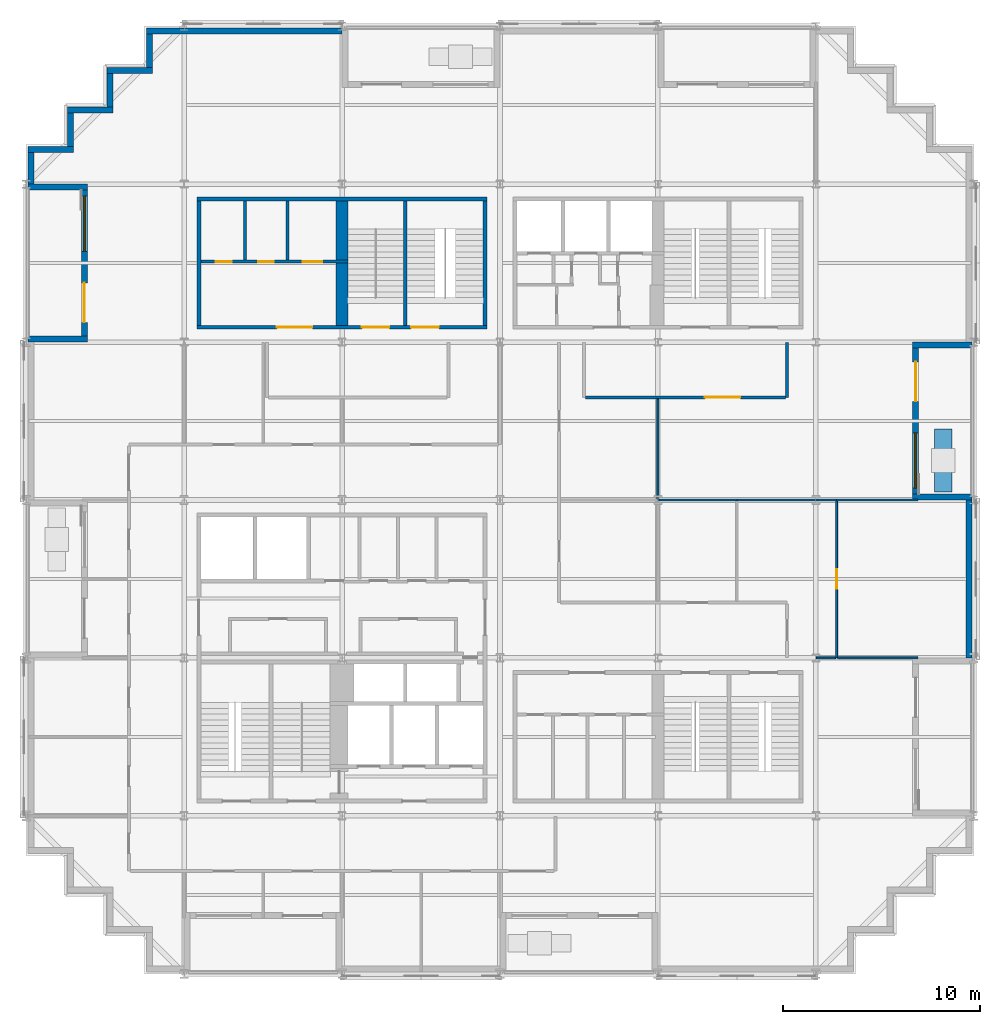
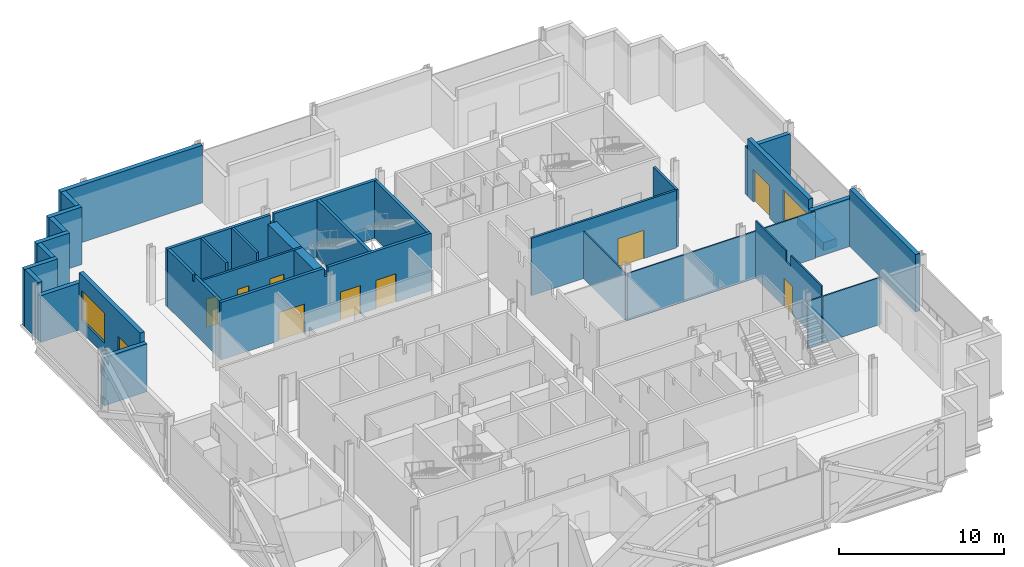
# One storey, part 9 of 15: 35 walls, 10 doors, 2 windows, 12 openings.
"""IFC4 building model written with IfcOpenShell, lengths in metres."""

import ifcopenshell
import ifcopenshell.guid

model = None  # the IFC model being written
_history = None  # IfcOwnerHistory: only IFC2X3 demands one
_inside = {}  # id of a spatial element -> (the spatial element, [elements in it])
_under = {}  # id of a project, library or spatial element -> (it, [spatial elements below it])
_declared = {}  # id of a project -> (the project, [libraries it declares])
_typed = {}  # id of a type object -> (the type object, [elements of that type])
_made_of = {}  # id of a material, layer set ... -> (it, [elements and type objects made of it])


def new_model(schema):
    """Start an empty IFC model of exactly this schema.

    Asked for "IFC4X3", IfcOpenShell would pick the latest addendum, in which some entities
    have other attributes; the version numbers below select the first issue.
    IFC2X3 requires an IfcOwnerHistory on every rooted entity: one is made here for all.
    """
    global model, _history
    if schema == "IFC4X3":
        model = ifcopenshell.file(schema_version=(4, 3, 0, 0))
    else:
        model = ifcopenshell.file(schema=schema)
    _inside.clear()
    _under.clear()
    _declared.clear()
    _typed.clear()
    _made_of.clear()
    _history = None
    if model.schema == "IFC2X3":
        org = make("IfcOrganization", Name="unknown")
        user = make(
            "IfcPersonAndOrganization",
            ThePerson=make("IfcPerson", FamilyName="unknown"),
            TheOrganization=org,
        )
        app = make(
            "IfcApplication",
            ApplicationDeveloper=org,
            Version="unknown",
            ApplicationFullName="unknown",
            ApplicationIdentifier="unknown",
        )
        _history = make(
            "IfcOwnerHistory",
            OwningUser=user,
            OwningApplication=app,
            ChangeAction="ADDED",
            CreationDate=0,
        )
    return model


def make(cls, **values):
    """One entity of the class cls with the attributes given. An attribute that is None is left unset."""
    return model.create_entity(
        cls, **{name: value for name, value in values.items() if value is not None}
    )


def rooted(cls, **values):
    """An entity with a GlobalId (a new one), such as an element, a storey or a relation."""
    return make(cls, GlobalId=ifcopenshell.guid.new(), OwnerHistory=_history, **values)


def si_unit(unit_type, name, prefix=None):
    """IfcSIUnit, for example si_unit("LENGTHUNIT", "METRE", prefix="MILLI")."""
    return make("IfcSIUnit", UnitType=unit_type, Prefix=prefix, Name=name)


def assignment(units):
    """IfcUnitAssignment: the units of a project."""
    return None if units is None else make("IfcUnitAssignment", Units=units)


def point(xyz):
    """IfcCartesianPoint."""
    return None if xyz is None else make("IfcCartesianPoint", Coordinates=xyz)


def direction(xyz):
    """IfcDirection."""
    return None if xyz is None else make("IfcDirection", DirectionRatios=xyz)


def frame(location, z_axis=None, x_axis=None):
    """IfcAxis2Placement3D, a coordinate frame: its origin and axes. An axis left out is left unset."""
    return make(
        "IfcAxis2Placement3D",
        Location=point(location),
        Axis=direction(z_axis),
        RefDirection=direction(x_axis),
    )


def frame_2d(location, x_axis=None):
    """IfcAxis2Placement2D, a coordinate frame in the plane: its origin and x axis."""
    return make(
        "IfcAxis2Placement2D", Location=point(location), RefDirection=direction(x_axis)
    )


def origin():
    """The frame at (0, 0, 0) with its axes left unset."""
    return frame((0.0, 0.0, 0.0))


def place(relative_to, where):
    """IfcLocalPlacement: puts the frame where relative to a parent placement (None: the world)."""
    return make(
        "IfcLocalPlacement", PlacementRelTo=relative_to, RelativePlacement=where
    )


def context(
    kind, dimensions, precision=None, world=None, true_north=None, identifier=None
):
    """IfcGeometricRepresentationContext, for example the 3D "Model" context."""
    return make(
        "IfcGeometricRepresentationContext",
        ContextIdentifier=identifier,
        ContextType=kind,
        CoordinateSpaceDimension=dimensions,
        Precision=precision,
        WorldCoordinateSystem=world,
        TrueNorth=true_north,
    )


def subcontext(parent, identifier, kind, view, scale=None):
    """IfcGeometricRepresentationSubContext, for example "Body" below "Model"."""
    return make(
        "IfcGeometricRepresentationSubContext",
        ContextIdentifier=identifier,
        ContextType=kind,
        ParentContext=parent,
        TargetScale=scale,
        TargetView=view,
    )


def project(units=None, contexts=None):
    """IfcProject with its units and contexts."""
    return rooted(
        "IfcProject",
        Name="project",
        RepresentationContexts=contexts,
        UnitsInContext=assignment(units),
    )


def spatial(cls, under=None, at=None, **own):
    """A site, building, storey or space (cls), placed at a placement, below another one or the project."""
    s = rooted(cls, ObjectPlacement=at, **own)
    if under is not None:
        _under.setdefault(under.id(), (under, []))[1].append(s)
    return s


def polyline(points):
    """IfcPolyline through the points."""
    return make("IfcPolyline", Points=[point(p) for p in points])


def profile(cls, at=None, kind="AREA", **sizes):
    """A parametric profile (cls). Its sizes go by their IFC names, for example OverallWidth=200.0."""
    return make(cls, ProfileType=kind, Position=at, **sizes)


def rectangle(**sizes):
    """IfcRectangleProfileDef."""
    return profile("IfcRectangleProfileDef", **sizes)


def outline(outer, holes=None, kind="AREA"):
    """IfcArbitraryClosedProfileDef: a profile drawn as a closed curve; with holes, ...WithVoids."""
    if holes is None:
        return make("IfcArbitraryClosedProfileDef", ProfileType=kind, OuterCurve=outer)
    return make(
        "IfcArbitraryProfileDefWithVoids",
        ProfileType=kind,
        OuterCurve=outer,
        InnerCurves=holes,
    )


def extrude(swept, where, along, depth):
    """IfcExtrudedAreaSolid: the profile swept, set in the frame where, extruded along a direction by depth."""
    return make(
        "IfcExtrudedAreaSolid",
        SweptArea=swept,
        Position=where,
        ExtrudedDirection=direction(along),
        Depth=depth,
    )


def shape(context_of_items, identifier, shape_type, items):
    """IfcShapeRepresentation: the items that make up one representation, for example the "Body"."""
    return make(
        "IfcShapeRepresentation",
        ContextOfItems=context_of_items,
        RepresentationIdentifier=identifier,
        RepresentationType=shape_type,
        Items=items,
    )


def material(Name=None, Category=None):
    """IfcMaterial."""
    return make("IfcMaterial", Name=Name, Category=Category)


def layer(
    of_material, thickness, ventilated=None, Name=None, Category=None, Priority=None
):
    """IfcMaterialLayer: one layer of a wall or slab, of a material (None: an air gap)."""
    return make(
        "IfcMaterialLayer",
        Material=of_material,
        LayerThickness=thickness,
        IsVentilated=ventilated,
        Name=Name,
        Category=Category,
        Priority=Priority,
    )


def layer_set(layers, Name=None):
    """IfcMaterialLayerSet."""
    return make("IfcMaterialLayerSet", MaterialLayers=layers, LayerSetName=Name)


def made_of(thing, what):
    """Note that an element or type object is made of a material, layer set ...; save() writes the relation."""
    if what is not None:
        _made_of.setdefault(what.id(), (what, []))[1].append(thing)
    return thing


def type_object(cls, material=None, **own):
    """A type object (cls), such as IfcWallType, which elements share."""
    return made_of(rooted(cls, **own), material)


def element(
    cls,
    number,
    at=None,
    inside=None,
    cuts=None,
    type_object=None,
    material=None,
    context=None,
    identifier="Body",
    shape_type=None,
    held_by="IfcProductDefinitionShape",
    body=None,
    shapes=None,
    **own,
):
    """One element of the class cls, such as IfcWall. Its Tag is "e" and its number.

    at: its placement. inside: the storey or other place that contains it. cuts: it is an
    opening in that element (IfcRelVoidsElement). A single representation is given by context,
    identifier, shape_type and body (its items); several are given by shapes. held_by: the class
    of the entity that holds the representations. save() writes the other relations.
    """
    e = rooted(cls, Tag="e%d" % number, ObjectPlacement=at, **own)
    if body is not None:
        shapes = [shape(context, identifier, shape_type, body)]
    if shapes is not None:
        e.Representation = make(held_by, Representations=shapes)
    if inside is not None:
        _inside.setdefault(inside.id(), (inside, []))[1].append(e)
    if cuts is not None:
        rooted(
            "IfcRelVoidsElement", RelatingBuildingElement=cuts, RelatedOpeningElement=e
        )
    if type_object is not None:
        _typed.setdefault(type_object.id(), (type_object, []))[1].append(e)
    return made_of(e, material)


def fill(opening, filler):
    """IfcRelFillsElement: the door or window that sits in an opening."""
    return rooted(
        "IfcRelFillsElement",
        RelatingOpeningElement=opening,
        RelatedBuildingElement=filler,
    )


def aggregate(whole, parts):
    """IfcRelAggregates: a whole, such as a stair, and the parts it consists of."""
    return rooted("IfcRelAggregates", RelatingObject=whole, RelatedObjects=parts)


def save(model, path):
    """Write the relations noted so far, then the file.

    IfcRelAggregates (storeys below a building ...), IfcRelContainedInSpatialStructure (elements
    in a storey), IfcRelDefinesByType, IfcRelAssociatesMaterial and IfcRelDeclares: one each for
    every whole, place, type object, material and project.
    """
    for whole, parts in _under.values():
        aggregate(whole, parts)
    for where, things in _inside.values():
        rooted(
            "IfcRelContainedInSpatialStructure",
            RelatedElements=things,
            RelatingStructure=where,
        )
    for kind, things in _typed.values():
        rooted("IfcRelDefinesByType", RelatedObjects=things, RelatingType=kind)
    for what, things in _made_of.values():
        rooted("IfcRelAssociatesMaterial", RelatedObjects=things, RelatingMaterial=what)
    for by, libraries in _declared.values():
        rooted("IfcRelDeclares", RelatingContext=by, RelatedDefinitions=libraries)
    model.write(path)


model = new_model("IFC4")

# Units and contexts
model_context = context("Model", 3, precision=1e-05, world=origin(), true_north=direction((0.0, 1.0)))
body_context = subcontext(model_context, "Body", "Model", "MODEL_VIEW")
ifc_project = project(units=[si_unit("LENGTHUNIT", "METRE"), si_unit("AREAUNIT", "SQUARE_METRE"), si_unit("VOLUMEUNIT", "CUBIC_METRE"), si_unit("PLANEANGLEUNIT", "RADIAN"), si_unit("MASSUNIT", "GRAM", prefix="KILO")], contexts=[model_context])

# Site, building, storey
site_placement = place(None, origin())
site = spatial("IfcSite", under=ifc_project, at=site_placement, CompositionType="ELEMENT")
building_placement = place(site_placement, origin())
building = spatial("IfcBuilding", under=site, at=building_placement, Name="Immortelle Media Tower", CompositionType="ELEMENT")
storey_placement = place(building_placement, frame((0.0, 0.0, 83.199951171875)))
storey = spatial("IfcBuildingStorey", under=building, at=storey_placement, Name="L15", CompositionType="ELEMENT", Elevation=83.199951171875)

# Wall, openings, doors
ifc_material_1 = material(Name="Fire-rated gypsum board", Category="gypsum")
ifc_layer_1 = layer(ifc_material_1, 0.02490234375)
ifc_material_2 = material(Name="Steel ASTM A653 SS Gr 50 stud frame with mineral wool", Category="steel")
ifc_layer_2 = layer(ifc_material_2, 0.10009765625)
ifc_layer_3 = layer(ifc_material_1, 0.02490234375)
ifc_layer_set_1 = layer_set([ifc_layer_1, ifc_layer_2, ifc_layer_3], Name="Steel ASTM A653 SS Gr 50 stud frame with mineral wool")
wall_type_1 = type_object("IfcWallType", Name="Core partition 150", PredefinedType="PARTITIONING", material=ifc_layer_set_1)
wall_1_placement = place(storey_placement, frame((8.85009765625, 36.074951171875, 0.0), z_axis=(0.0, 0.0, 1.0), x_axis=(1.0, 0.0, 0.0)))
wall_1 = element("IfcWall", 1, at=wall_1_placement, inside=storey, type_object=wall_type_1, Name="Core partition NW", PredefinedType="PARTITIONING", context=body_context, shape_type="SweptSolid", body=[
    extrude(rectangle(XDim=7.449951171875, YDim=0.14990234375, at=frame_2d((3.72509765625, 0.0))), origin(), (0.0, 0.0, 1.0), 3.632080078125),
])
opening_1_placement = place(wall_1_placement, frame((0.75, 0.0, 0.0)))
opening_1 = element("IfcOpeningElement", 2, at=opening_1_placement, cuts=wall_1, Name="Opening N4-K044", PredefinedType="OPENING", context=body_context, shape_type="SweptSolid", body=[
    extrude(rectangle(XDim=0.800048828125, YDim=2.10009765625, at=frame_2d((0.39990234375, 1.050048828125))), frame((0.0, 0.0849609375, 0.0), z_axis=(0.0, -1.0, 0.0), x_axis=(1.0, 0.0, 0.0)), (0.0, 0.0, 1.0), 0.169921875),
])
opening_2_placement = place(wall_1_placement, frame((2.89990234375, 0.0, 0.0)))
opening_2 = element("IfcOpeningElement", 3, at=opening_2_placement, cuts=wall_1, Name="Opening N4-K045", PredefinedType="OPENING", context=body_context, shape_type="SweptSolid", body=[
    extrude(rectangle(XDim=0.800048828125, YDim=2.10009765625, at=frame_2d((0.39990234375, 1.050048828125))), frame((0.0, 0.0849609375, 0.0), z_axis=(0.0, -1.0, 0.0), x_axis=(1.0, 0.0, 0.0)), (0.0, 0.0, 1.0), 0.169921875),
])
opening_3_placement = place(wall_1_placement, frame((5.14990234375, 0.0, 0.0)))
opening_3 = element("IfcOpeningElement", 4, at=opening_3_placement, cuts=wall_1, Name="Opening N4-K046", PredefinedType="OPENING", context=body_context, shape_type="SweptSolid", body=[
    extrude(rectangle(XDim=1.0, YDim=2.10009765625, at=frame_2d((0.5, 1.050048828125))), frame((0.0, 0.0849609375, 0.0), z_axis=(0.0, -1.0, 0.0), x_axis=(1.0, 0.0, 0.0)), (0.0, 0.0, 1.0), 0.169921875),
])
ifc_material_3 = material(Name="Timber", Category="wood")
door_type_1 = type_object("IfcDoorType", Name="Accessible toilet door 1000 x 2100", OperationType="NOTDEFINED", PredefinedType="NOTDEFINED", material=ifc_material_3)
door_1_placement = place(opening_3_placement, origin())
door_1 = element("IfcDoor", 5, at=door_1_placement, inside=storey, type_object=door_type_1, Name="Accessible toilet N4-K046", OperationType="SINGLE_SWING_LEFT", OverallHeight=2.10009765625, OverallWidth=1.0, PredefinedType="NOTDEFINED", context=body_context, shape_type="SweptSolid", body=[
    extrude(rectangle(XDim=1.0, YDim=2.10009765625, at=frame_2d((0.5, 1.050048828125))), frame((0.0, 0.02490234375, 0.0), z_axis=(0.0, -1.0, 0.0), x_axis=(1.0, 0.0, 0.0)), (0.0, 0.0, 1.0), 0.050048828125),
])
fill(opening_3, door_1)
door_type_2 = type_object("IfcDoorType", Name="Toilet door 800 x 2100", OperationType="NOTDEFINED", PredefinedType="NOTDEFINED", material=ifc_material_3)
door_2_placement = place(opening_1_placement, origin())
door_2 = element("IfcDoor", 6, at=door_2_placement, inside=storey, type_object=door_type_2, Name="Toilet N4-K044", OperationType="SINGLE_SWING_RIGHT", OverallHeight=2.10009765625, OverallWidth=0.800048828125, PredefinedType="NOTDEFINED", context=body_context, shape_type="SweptSolid", body=[
    extrude(rectangle(XDim=0.800048828125, YDim=2.10009765625, at=frame_2d((0.39990234375, 1.050048828125))), frame((0.0, 0.02490234375, 0.0), z_axis=(0.0, -1.0, 0.0), x_axis=(1.0, 0.0, 0.0)), (0.0, 0.0, 1.0), 0.050048828125),
])
fill(opening_1, door_2)
door_3_placement = place(opening_2_placement, origin())
door_3 = element("IfcDoor", 7, at=door_3_placement, inside=storey, type_object=door_type_2, Name="Toilet N4-K045", OperationType="SINGLE_SWING_RIGHT", OverallHeight=2.10009765625, OverallWidth=0.800048828125, PredefinedType="NOTDEFINED", context=body_context, shape_type="SweptSolid", body=[
    extrude(rectangle(XDim=0.800048828125, YDim=2.10009765625, at=frame_2d((0.39990234375, 1.050048828125))), frame((0.0, 0.02490234375, 0.0), z_axis=(0.0, -1.0, 0.0), x_axis=(1.0, 0.0, 0.0)), (0.0, 0.0, 1.0), 0.050048828125),
])
fill(opening_2, door_3)

# Walls
for number, where, z_axis, x_axis, name in (
    (8, (11.074951171875, 36.14990234375, 0.0), (0.0, 0.0, 1.0), (0.0, 1.0, 0.0), "Core partition NW"),
    (9, (13.22509765625, 36.14990234375, 0.0), (0.0, 0.0, 1.0), (0.0, 1.0, 0.0), "Core partition NW"),
):
    element("IfcWall", number, at=place(storey_placement, frame(where, z_axis=z_axis, x_axis=x_axis)), inside=storey, type_object=wall_type_1, Name=name, PredefinedType="PARTITIONING", context=body_context, shape_type="SweptSolid", body=[
        extrude(rectangle(XDim=3.0, YDim=0.14990234375, at=frame_2d((1.5, 0.0))), origin(), (0.0, 0.0, 1.0), 4.25),
    ])
ifc_layer_4 = layer(ifc_material_1, 0.03759765625)
ifc_layer_5 = layer(ifc_material_2, 0.125)
ifc_layer_6 = layer(ifc_material_1, 0.03759765625)
ifc_layer_set_2 = layer_set([ifc_layer_4, ifc_layer_5, ifc_layer_6], Name="Steel ASTM A653 SS Gr 50 stud frame with mineral wool")
wall_type_2 = type_object("IfcWallType", Name="Core shaft wall 200", PredefinedType="PARTITIONING", material=ifc_layer_set_2)
wall_2_placement = place(storey_placement, frame((8.75, 32.85009765625, 0.0), z_axis=(0.0, 0.0, 1.0), x_axis=(0.0, 1.0, 0.0)))
element("IfcWall", 10, at=wall_2_placement, inside=storey, type_object=wall_type_2, Name="Core shaft wall NW", PredefinedType="PARTITIONING", context=body_context, shape_type="SweptSolid", body=[
    extrude(outline(polyline([(0.0, 0.0), (6.2998046875, 0.0), (6.300048828125, 4.25), (3.2314453125, 4.25), (3.23046875, 3.7890625), (3.069580078125, 3.7890625), (3.068603515625, 4.25), (0.0, 4.25), (0.0, 0.0)])), frame((0.0, 0.10009765625, 0.0), z_axis=(0.0, -1.0, 0.0), x_axis=(1.0, 0.0, 0.0)), (0.0, 0.0, 1.0), 0.199951171875),
])

# Wall, opening, door
ifc_layer_7 = layer(ifc_material_1, 0.012451171875)
ifc_layer_8 = layer(ifc_material_2, 0.125)
ifc_layer_9 = layer(ifc_material_1, 0.012451171875)
ifc_layer_set_3 = layer_set([ifc_layer_7, ifc_layer_8, ifc_layer_9], Name="Steel ASTM A653 SS Gr 50 stud frame with mineral wool")
wall_type_3 = type_object("IfcWallType", Name="Corridor wall 150", PredefinedType="PARTITIONING", material=ifc_layer_set_3)
wall_3_placement = place(storey_placement, frame((28.324951171875, 29.199951171875, 0.0), z_axis=(0.0, 0.0, 1.0), x_axis=(1.0, 0.0, 0.0)))
wall_3 = element("IfcWall", 11, at=wall_3_placement, inside=storey, type_object=wall_type_3, Name="Partition L15-035", PredefinedType="PARTITIONING", context=body_context, shape_type="SweptSolid", body=[
    extrude(rectangle(XDim=10.150146484375, YDim=0.14990234375, at=frame_2d((5.0751953125, 0.0))), origin(), (0.0, 0.0, 1.0), 4.25),
])
opening_4_placement = place(wall_3_placement, frame((6.050048828125, 0.0, 0.0)))
opening_4 = element("IfcOpeningElement", 12, at=opening_4_placement, cuts=wall_3, Name="Opening N4-F019", PredefinedType="OPENING", context=body_context, shape_type="SweptSolid", body=[
    extrude(rectangle(XDim=1.800048828125, YDim=2.10009765625, at=frame_2d((0.89990234375, 1.050048828125))), frame((0.0, 0.0849609375, 0.0), z_axis=(0.0, -1.0, 0.0), x_axis=(1.0, 0.0, 0.0)), (0.0, 0.0, 1.0), 0.169921875),
])
ifc_material_4 = material(Name="Timber veneered door leaf, galvanised steel frame ASTM A653", Category="steel")
door_type_3 = type_object("IfcDoorType", Name="Room door 1800 x 2100", OperationType="DOUBLE_DOOR_SINGLE_SWING", PredefinedType="DOOR", material=ifc_material_4)
door_4_placement = place(opening_4_placement, origin())
door_4 = element("IfcDoor", 13, at=door_4_placement, inside=storey, type_object=door_type_3, Name="Door N4-F019", OperationType="DOUBLE_DOOR_SINGLE_SWING", OverallHeight=2.10009765625, OverallWidth=1.800048828125, PredefinedType="DOOR", context=body_context, shape_type="SweptSolid", body=[
    extrude(rectangle(XDim=1.800048828125, YDim=2.10009765625, at=frame_2d((0.89990234375, 1.050048828125))), frame((0.0, 0.02490234375, 0.0), z_axis=(0.0, -1.0, 0.0), x_axis=(1.0, 0.0, 0.0)), (0.0, 0.0, 1.0), 0.050048828125),
])
fill(opening_4, door_4)

# Walls
wall_4_placement = place(storey_placement, frame((38.550048828125, 29.199951171875, 0.0), z_axis=(0.0, 0.0, 1.0), x_axis=(0.0, 1.0, 0.0)))
element("IfcWall", 14, at=wall_4_placement, inside=storey, type_object=wall_type_3, Name="Partition L15-037", PredefinedType="PARTITIONING", context=body_context, shape_type="SweptSolid", body=[
    extrude(rectangle(XDim=2.77001953125, YDim=0.14990234375, at=frame_2d((1.385009765625, 0.0))), origin(), (0.0, 0.0, 1.0), 4.25),
])
ifc_material_5 = material(Name="Pale aluminium cladding panel", Category="aluminium")
ifc_layer_10 = layer(ifc_material_5, 0.030029296875)
ifc_layer_11 = layer(ifc_material_2, 0.257568359375)
ifc_material_6 = material(Name="Moisture-resistant gypsum board", Category="gypsum")
ifc_layer_12 = layer(ifc_material_6, 0.012451171875)
ifc_layer_set_4 = layer_set([ifc_layer_10, ifc_layer_11, ifc_layer_12], Name="Steel ASTM A653 SS Gr 50 stud frame with mineral wool")
wall_type_4 = type_object("IfcWallType", Name="Facade wall 300", PredefinedType="SOLIDWALL", material=ifc_layer_set_4)
wall_5_placement = place(storey_placement, frame((0.25, 41.60009765625, 0.0), z_axis=(0.0, 0.0, 1.0), x_axis=(0.0, -1.0, 0.0)))
element("IfcWall", 15, at=wall_5_placement, inside=storey, type_object=wall_type_4, Name="Facade wall L15 W0", PredefinedType="SOLIDWALL", context=body_context, shape_type="SweptSolid", body=[
    extrude(rectangle(XDim=1.60009765625, YDim=0.300048828125, at=frame_2d((0.800048828125, 0.0))), origin(), (0.0, 0.0, 1.0), 4.25),
])

# Wall, openings, door, window
wall_6_placement = place(storey_placement, frame((2.949951171875, 39.699951171875, 0.0), z_axis=(0.0, 0.0, 1.0), x_axis=(0.0, -1.0, 0.0)))
wall_6 = element("IfcWall", 16, at=wall_6_placement, inside=storey, type_object=wall_type_4, Name="Loggia wall L15 W0", PredefinedType="SOLIDWALL", context=body_context, shape_type="SweptSolid", body=[
    extrude(rectangle(XDim=7.39990234375, YDim=0.300048828125, at=frame_2d((3.699951171875, 0.0))), origin(), (0.0, 0.0, 1.0), 4.25),
])
opening_5_placement = place(wall_6_placement, frame((0.300048828125, 0.0, 0.89990234375)))
opening_5 = element("IfcOpeningElement", 17, at=opening_5_placement, cuts=wall_6, Name="Opening W1", PredefinedType="OPENING", context=body_context, shape_type="SweptSolid", body=[
    extrude(rectangle(XDim=2.800048828125, YDim=2.199951171875, at=frame_2d((1.39990234375, 1.10009765625))), frame((0.0, 0.159912109375, 0.0), z_axis=(0.0, -1.0, 0.0), x_axis=(1.0, 0.0, 0.0)), (0.0, 0.0, 1.0), 0.320068359375),
])
opening_6_placement = place(wall_6_placement, frame((4.699951171875, 0.0, 0.0)))
opening_6 = element("IfcOpeningElement", 18, at=opening_6_placement, cuts=wall_6, Name="Opening N4-E001", PredefinedType="OPENING", context=body_context, shape_type="SweptSolid", body=[
    extrude(rectangle(XDim=2.0, YDim=2.39990234375, at=frame_2d((1.0, 1.199951171875))), frame((0.0, 0.159912109375, 0.0), z_axis=(0.0, -1.0, 0.0), x_axis=(1.0, 0.0, 0.0)), (0.0, 0.0, 1.0), 0.320068359375),
])
ifc_material_7 = material(Name="Aluminium frame, glazed leaves", Category="aluminium")
door_type_4 = type_object("IfcDoorType", Name="Loggia door 2000 x 2400", OperationType="DOUBLE_DOOR_SINGLE_SWING", PredefinedType="DOOR", material=ifc_material_7)
door_5_placement = place(opening_6_placement, origin())
door_5 = element("IfcDoor", 19, at=door_5_placement, inside=storey, type_object=door_type_4, Name="Door N4-E001", OperationType="DOUBLE_DOOR_SINGLE_SWING", OverallHeight=2.39990234375, OverallWidth=2.0, PredefinedType="DOOR", context=body_context, shape_type="SweptSolid", body=[
    extrude(rectangle(XDim=2.0, YDim=2.39990234375, at=frame_2d((1.0, 1.199951171875))), frame((0.0, 0.02490234375, 0.0), z_axis=(0.0, -1.0, 0.0), x_axis=(1.0, 0.0, 0.0)), (0.0, 0.0, 1.0), 0.050048828125),
])
fill(opening_6, door_5)
ifc_material_8 = material(Name="Aluminium frame", Category="aluminium")
window_type = type_object("IfcWindowType", Name="Window 2800 x 2200", PartitioningType="SINGLE_PANEL", PredefinedType="WINDOW", material=ifc_material_8)
window_1_placement = place(opening_5_placement, origin())
window_1 = element("IfcWindow", 20, at=window_1_placement, inside=storey, type_object=window_type, Name="Window L15 L15-R0-B0", OverallHeight=2.199951171875, OverallWidth=2.800048828125, PartitioningType="SINGLE_PANEL", PredefinedType="WINDOW", context=body_context, shape_type="SweptSolid", body=[
    extrude(rectangle(XDim=2.800048828125, YDim=2.199951171875, at=frame_2d((1.39990234375, 1.10009765625))), frame((0.0, 0.030029296875, 0.0), z_axis=(0.0, -1.0, 0.0), x_axis=(1.0, 0.0, 0.0)), (0.0, 0.0, 1.0), 0.06005859375),
])
fill(opening_5, window_1)

# Walls
wall_7_placement = place(storey_placement, frame((0.10009765625, 39.85009765625, 0.0), z_axis=(0.0, 0.0, 1.0), x_axis=(1.0, 0.0, 0.0)))
element("IfcWall", 21, at=wall_7_placement, inside=storey, type_object=wall_type_4, Name="Loggia cheek wall L15 W", PredefinedType="SOLIDWALL", context=body_context, shape_type="SweptSolid", body=[
    extrude(rectangle(XDim=3.0, YDim=0.300048828125, at=frame_2d((1.5, 0.0))), origin(), (0.0, 0.0, 1.0), 3.468994140625),
])
wall_8_placement = place(storey_placement, frame((0.10009765625, 32.14990234375, 0.0), z_axis=(0.0, 0.0, 1.0), x_axis=(1.0, 0.0, 0.0)))
element("IfcWall", 22, at=wall_8_placement, inside=storey, type_object=wall_type_4, Name="Loggia cheek wall L15 W", PredefinedType="SOLIDWALL", context=body_context, shape_type="SweptSolid", body=[
    extrude(rectangle(XDim=3.0, YDim=0.300048828125, at=frame_2d((1.5, 0.0))), origin(), (0.0, 0.0, 1.0), 3.55615234375),
])
wall_9_placement = place(storey_placement, frame((47.75, 16.0, 0.0), z_axis=(0.0, 0.0, 1.0), x_axis=(0.0, 1.0, 0.0)))
element("IfcWall", 23, at=wall_9_placement, inside=storey, type_object=wall_type_4, Name="Facade wall L15 E14", PredefinedType="SOLIDWALL", context=body_context, shape_type="SweptSolid", body=[
    extrude(rectangle(XDim=8.0, YDim=0.300048828125, at=frame_2d((4.0, 0.0))), origin(), (0.0, 0.0, 1.0), 4.25),
])

# Wall, openings, door, window
wall_10_placement = place(storey_placement, frame((45.050048828125, 24.300048828125, 0.0), z_axis=(0.0, 0.0, 1.0), x_axis=(0.0, 1.0, 0.0)))
wall_10 = element("IfcWall", 24, at=wall_10_placement, inside=storey, type_object=wall_type_4, Name="Loggia wall L15 E14", PredefinedType="SOLIDWALL", context=body_context, shape_type="SweptSolid", body=[
    extrude(rectangle(XDim=7.39990234375, YDim=0.300048828125, at=frame_2d((3.699951171875, 0.0))), origin(), (0.0, 0.0, 1.0), 4.25),
])
opening_7_placement = place(wall_10_placement, frame((0.300048828125, 0.0, 0.89990234375)))
opening_7 = element("IfcOpeningElement", 25, at=opening_7_placement, cuts=wall_10, Name="Opening W1", PredefinedType="OPENING", context=body_context, shape_type="SweptSolid", body=[
    extrude(rectangle(XDim=2.800048828125, YDim=2.199951171875, at=frame_2d((1.39990234375, 1.10009765625))), frame((0.0, 0.159912109375, 0.0), z_axis=(0.0, -1.0, 0.0), x_axis=(1.0, 0.0, 0.0)), (0.0, 0.0, 1.0), 0.320068359375),
])
opening_8_placement = place(wall_10_placement, frame((4.699951171875, 0.0, 0.0)))
opening_8 = element("IfcOpeningElement", 26, at=opening_8_placement, cuts=wall_10, Name="Opening N4-E006", PredefinedType="OPENING", context=body_context, shape_type="SweptSolid", body=[
    extrude(rectangle(XDim=2.0, YDim=2.39990234375, at=frame_2d((1.0, 1.199951171875))), frame((0.0, 0.159912109375, 0.0), z_axis=(0.0, -1.0, 0.0), x_axis=(1.0, 0.0, 0.0)), (0.0, 0.0, 1.0), 0.320068359375),
])
door_6_placement = place(opening_8_placement, origin())
door_6 = element("IfcDoor", 27, at=door_6_placement, inside=storey, type_object=door_type_4, Name="Door N4-E006", OperationType="DOUBLE_DOOR_SINGLE_SWING", OverallHeight=2.39990234375, OverallWidth=2.0, PredefinedType="DOOR", context=body_context, shape_type="SweptSolid", body=[
    extrude(rectangle(XDim=2.0, YDim=2.39990234375, at=frame_2d((1.0, 1.199951171875))), frame((0.0, 0.02490234375, 0.0), z_axis=(0.0, -1.0, 0.0), x_axis=(1.0, 0.0, 0.0)), (0.0, 0.0, 1.0), 0.050048828125),
])
fill(opening_8, door_6)
window_2_placement = place(opening_7_placement, origin())
window_2 = element("IfcWindow", 28, at=window_2_placement, inside=storey, type_object=window_type, Name="Window L15 L15-R14-B2", OverallHeight=2.199951171875, OverallWidth=2.800048828125, PartitioningType="SINGLE_PANEL", PredefinedType="WINDOW", context=body_context, shape_type="SweptSolid", body=[
    extrude(rectangle(XDim=2.800048828125, YDim=2.199951171875, at=frame_2d((1.39990234375, 1.10009765625))), frame((0.0, 0.030029296875, 0.0), z_axis=(0.0, -1.0, 0.0), x_axis=(1.0, 0.0, 0.0)), (0.0, 0.0, 1.0), 0.06005859375),
])
fill(opening_7, window_2)

# Walls
for number, where, z_axis, x_axis, name in (
    (29, (47.89990234375, 24.14990234375, 0.0), (0.0, 0.0, 1.0), (-1.0, 0.0, 0.0), "Loggia cheek wall L15 E"),
    (30, (47.89990234375, 31.85009765625, 0.0), (0.0, 0.0, 1.0), (-1.0, 0.0, 0.0), "Loggia cheek wall L15 E"),
):
    element("IfcWall", number, at=place(storey_placement, frame(where, z_axis=z_axis, x_axis=x_axis)), inside=storey, type_object=wall_type_4, Name=name, PredefinedType="SOLIDWALL", context=body_context, shape_type="SweptSolid", body=[
        extrude(rectangle(XDim=3.0, YDim=0.300048828125, at=frame_2d((1.5, 0.0))), origin(), (0.0, 0.0, 1.0), 3.55615234375),
    ])
wall_11_placement = place(storey_placement, frame((16.0, 47.75, 0.0), z_axis=(0.0, 0.0, 1.0), x_axis=(-1.0, 0.0, 0.0)))
element("IfcWall", 31, at=wall_11_placement, inside=storey, type_object=wall_type_4, Name="Facade wall L15 N21", PredefinedType="SOLIDWALL", context=body_context, shape_type="SweptSolid", body=[
    extrude(rectangle(XDim=9.89990234375, YDim=0.300048828125, at=frame_2d((4.949951171875, 0.0))), origin(), (0.0, 0.0, 1.0), 4.25),
])
wall_12_placement = place(storey_placement, frame((6.25, 47.60009765625, 0.0), z_axis=(0.0, 0.0, 1.0), x_axis=(0.0, -1.0, 0.0)))
element("IfcWall", 32, at=wall_12_placement, inside=storey, type_object=wall_type_4, Name="Facade wall L15 W22", PredefinedType="SOLIDWALL", context=body_context, shape_type="SweptSolid", body=[
    extrude(rectangle(XDim=1.7001953125, YDim=0.300048828125, at=frame_2d((0.85009765625, 0.0))), origin(), (0.0, 0.0, 1.0), 4.25),
])
wall_13_placement = place(storey_placement, frame((6.39990234375, 45.75, 0.0), z_axis=(0.0, 0.0, 1.0), x_axis=(-1.0, 0.0, 0.0)))
element("IfcWall", 33, at=wall_13_placement, inside=storey, type_object=wall_type_4, Name="Facade wall L15 N23", PredefinedType="SOLIDWALL", context=body_context, shape_type="SweptSolid", body=[
    extrude(rectangle(XDim=2.2998046875, YDim=0.300048828125, at=frame_2d((1.14990234375, 0.0))), origin(), (0.0, 0.0, 1.0), 4.25),
])
wall_14_placement = place(storey_placement, frame((4.25, 45.60009765625, 0.0), z_axis=(0.0, 0.0, 1.0), x_axis=(0.0, -1.0, 0.0)))
element("IfcWall", 34, at=wall_14_placement, inside=storey, type_object=wall_type_4, Name="Facade wall L15 W24", PredefinedType="SOLIDWALL", context=body_context, shape_type="SweptSolid", body=[
    extrude(rectangle(XDim=1.7001953125, YDim=0.300048828125, at=frame_2d((0.85009765625, 0.0))), origin(), (0.0, 0.0, 1.0), 4.25),
])
wall_15_placement = place(storey_placement, frame((4.39990234375, 43.75, 0.0), z_axis=(0.0, 0.0, 1.0), x_axis=(-1.0, 0.0, 0.0)))
element("IfcWall", 35, at=wall_15_placement, inside=storey, type_object=wall_type_4, Name="Facade wall L15 N25", PredefinedType="SOLIDWALL", context=body_context, shape_type="SweptSolid", body=[
    extrude(rectangle(XDim=2.2998046875, YDim=0.300048828125, at=frame_2d((1.14990234375, 0.0))), origin(), (0.0, 0.0, 1.0), 4.25),
])
wall_16_placement = place(storey_placement, frame((2.25, 43.60009765625, 0.0), z_axis=(0.0, 0.0, 1.0), x_axis=(0.0, -1.0, 0.0)))
element("IfcWall", 36, at=wall_16_placement, inside=storey, type_object=wall_type_4, Name="Facade wall L15 W26", PredefinedType="SOLIDWALL", context=body_context, shape_type="SweptSolid", body=[
    extrude(rectangle(XDim=1.7001953125, YDim=0.300048828125, at=frame_2d((0.85009765625, 0.0))), origin(), (0.0, 0.0, 1.0), 4.25),
])
wall_17_placement = place(storey_placement, frame((2.39990234375, 41.75, 0.0), z_axis=(0.0, 0.0, 1.0), x_axis=(-1.0, 0.0, 0.0)))
element("IfcWall", 37, at=wall_17_placement, inside=storey, type_object=wall_type_4, Name="Facade wall L15 N27", PredefinedType="SOLIDWALL", context=body_context, shape_type="SweptSolid", body=[
    extrude(rectangle(XDim=2.2998046875, YDim=0.300048828125, at=frame_2d((1.14990234375, 0.0))), origin(), (0.0, 0.0, 1.0), 4.25),
])
ifc_material_9 = material(Name="Gypsum board", Category="gypsum")
ifc_layer_13 = layer(ifc_material_9, 0.012451171875)
ifc_layer_14 = layer(ifc_material_2, 0.074951171875)
ifc_layer_15 = layer(ifc_material_9, 0.012451171875)
ifc_layer_set_5 = layer_set([ifc_layer_13, ifc_layer_14, ifc_layer_15], Name="Steel ASTM A653 SS Gr 50 stud frame with mineral wool")
wall_type_5 = type_object("IfcWallType", Name="Partition 100", PredefinedType="PARTITIONING", material=ifc_layer_set_5)
wall_18_placement = place(storey_placement, frame((40.030029296875, 16.0, 0.0), z_axis=(0.0, 0.0, 1.0), x_axis=(1.0, 0.0, 0.0)))
element("IfcWall", 38, at=wall_18_placement, inside=storey, type_object=wall_type_5, Name="Partition L15-012", PredefinedType="PARTITIONING", context=body_context, shape_type="SweptSolid", body=[
    extrude(rectangle(XDim=0.969970703125, YDim=0.10009765625, at=frame_2d((0.48486328125, 0.0))), origin(), (0.0, 0.0, 1.0), 3.469970703125),
])
wall_19_placement = place(storey_placement, frame((41.10009765625, 16.0, 0.0), z_axis=(0.0, 0.0, 1.0), x_axis=(1.0, 0.0, 0.0)))
element("IfcWall", 39, at=wall_19_placement, inside=storey, type_object=wall_type_5, Name="Partition L15-013", PredefinedType="PARTITIONING", context=body_context, shape_type="SweptSolid", body=[
    extrude(rectangle(XDim=4.06982421875, YDim=0.10009765625, at=frame_2d((2.034912109375, 0.0))), origin(), (0.0, 0.0, 1.0), 3.469970703125),
])

# Wall, opening, door
wall_20_placement = place(storey_placement, frame((41.050048828125, 16.0, 0.0), z_axis=(0.0, 0.0, 1.0), x_axis=(0.0, 1.0, 0.0)))
wall_20 = element("IfcWall", 40, at=wall_20_placement, inside=storey, type_object=wall_type_5, Name="Partition L15-014", PredefinedType="PARTITIONING", context=body_context, shape_type="SweptSolid", body=[
    extrude(outline(polyline([(0.0, 0.0), (7.949951171875, 0.0), (7.949951171875, 4.25), (4.300048828125, 4.25), (4.298095703125, 3.469970703125), (3.701904296875, 3.469970703125), (3.699951171875, 4.25), (0.0, 4.25), (0.0, 0.0)])), frame((0.0, 0.050048828125, 0.0), z_axis=(0.0, -1.0, 0.0), x_axis=(1.0, 0.0, 0.0)), (0.0, 0.0, 1.0), 0.10009765625),
])
opening_9_placement = place(wall_20_placement, frame((4.5, 0.0, 0.0), z_axis=(0.0, 0.0, 1.0), x_axis=(-1.0, 0.0, 0.0)))
opening_9 = element("IfcOpeningElement", 41, at=opening_9_placement, cuts=wall_20, Name="Opening N4-F013", PredefinedType="OPENING", context=body_context, shape_type="SweptSolid", body=[
    extrude(rectangle(XDim=1.0, YDim=2.10009765625, at=frame_2d((0.5, 1.050048828125))), frame((0.0, 0.06005859375, 0.0), z_axis=(0.0, -1.0, 0.0), x_axis=(1.0, 0.0, 0.0)), (0.0, 0.0, 1.0), 0.1201171875),
])
door_type_5 = type_object("IfcDoorType", Name="Room door 1000 x 2100", OperationType="NOTDEFINED", PredefinedType="DOOR", material=ifc_material_4)
door_7_placement = place(opening_9_placement, origin())
door_7 = element("IfcDoor", 42, at=door_7_placement, inside=storey, type_object=door_type_5, Name="Door N4-F013", OperationType="SINGLE_SWING_RIGHT", OverallHeight=2.10009765625, OverallWidth=1.0, PredefinedType="DOOR", context=body_context, shape_type="SweptSolid", body=[
    extrude(rectangle(XDim=1.0, YDim=2.10009765625, at=frame_2d((0.5, 1.050048828125))), frame((0.0, 0.02490234375, 0.0), z_axis=(0.0, -1.0, 0.0), x_axis=(1.0, 0.0, 0.0)), (0.0, 0.0, 1.0), 0.050048828125),
])
fill(opening_9, door_7)

# Walls
wall_21_placement = place(storey_placement, frame((32.050048828125, 24.0, 0.0), z_axis=(0.0, 0.0, 1.0), x_axis=(1.0, 0.0, 0.0)))
element("IfcWall", 43, at=wall_21_placement, inside=storey, type_object=wall_type_5, Name="Partition L15-023", PredefinedType="PARTITIONING", context=body_context, shape_type="SweptSolid", body=[
    extrude(rectangle(XDim=3.949951171875, YDim=0.10009765625, at=frame_2d((1.97509765625, 0.0))), origin(), (0.0, 0.0, 1.0), 3.469970703125),
])
wall_22_placement = place(storey_placement, frame((32.0, 24.0, 0.0), z_axis=(0.0, 0.0, 1.0), x_axis=(0.0, 1.0, 0.0)))
element("IfcWall", 44, at=wall_22_placement, inside=storey, type_object=wall_type_5, Name="Partition L15-024", PredefinedType="PARTITIONING", context=body_context, shape_type="SweptSolid", body=[
    extrude(rectangle(XDim=5.125, YDim=0.10009765625, at=frame_2d((2.5625, 0.0))), origin(), (0.0, 0.0, 1.0), 3.469970703125),
])
wall_23_placement = place(storey_placement, frame((36.0, 24.0, 0.0), z_axis=(0.0, 0.0, 1.0), x_axis=(1.0, 0.0, 0.0)))
element("IfcWall", 45, at=wall_23_placement, inside=storey, type_object=wall_type_5, Name="Partition L15-025", PredefinedType="PARTITIONING", context=body_context, shape_type="SweptSolid", body=[
    extrude(rectangle(XDim=5.050048828125, YDim=0.10009765625, at=frame_2d((2.52490234375, 0.0))), origin(), (0.0, 0.0, 1.0), 3.469970703125),
])
wall_24_placement = place(storey_placement, frame((41.050048828125, 24.0, 0.0), z_axis=(0.0, 0.0, 1.0), x_axis=(1.0, 0.0, 0.0)))
element("IfcWall", 46, at=wall_24_placement, inside=storey, type_object=wall_type_5, Name="Partition L15-026", PredefinedType="PARTITIONING", context=body_context, shape_type="SweptSolid", body=[
    extrude(rectangle(XDim=4.119873046875, YDim=0.10009765625, at=frame_2d((2.06005859375, 0.0))), origin(), (0.0, 0.0, 1.0), 3.469970703125),
])
ifc_layer_16 = layer(ifc_material_5, 0.0029296875)
ifc_material_10 = material(Name="Steel ASTM A572 Gr 50 planter shell", Category="steel")
ifc_layer_17 = layer(ifc_material_10, 0.011962890625)
ifc_material_11 = material(Name="Planting substrate", Category="soil")
ifc_layer_18 = layer(ifc_material_11, 0.873046875)
ifc_layer_19 = layer(ifc_material_10, 0.011962890625)
ifc_layer_set_6 = layer_set([ifc_layer_16, ifc_layer_17, ifc_layer_18, ifc_layer_19], Name="Steel ASTM A572 Gr 50 planter shell")
wall_type_6 = type_object("IfcWallType", Name="Planter wall 900", PredefinedType="SOLIDWALL", material=ifc_layer_set_6)
wall_25_placement = place(storey_placement, frame((46.449951171875, 24.39990234375, 0.0), z_axis=(0.0, 0.0, 1.0), x_axis=(0.0, 1.0, 0.0)))
element("IfcWall", 47, at=wall_25_placement, inside=storey, type_object=wall_type_6, Name="Planter L15 E2", PredefinedType="SOLIDWALL", context=body_context, shape_type="SweptSolid", body=[
    extrude(rectangle(XDim=3.2001953125, YDim=0.89990234375, at=frame_2d((1.60009765625, 0.0))), origin(), (0.0, 0.0, 1.0), 0.60009765625),
])

# Wall, openings, doors
ifc_material_12 = material(Name="Concrete C60", Category="concrete")
ifc_layer_20 = layer(ifc_material_12, 0.199951171875)
ifc_layer_set_7 = layer_set([ifc_layer_20], Name="Concrete C60")
wall_type_7 = type_object("IfcWallType", Name="Stair shaft wall 200", PredefinedType="PARTITIONING", material=ifc_layer_set_7)
wall_26_placement = place(storey_placement, frame((8.64990234375, 32.75, 0.0), z_axis=(0.0, 0.0, 1.0), x_axis=(1.0, 0.0, 0.0)))
wall_26 = element("IfcWall", 48, at=wall_26_placement, inside=storey, type_object=wall_type_7, Name="Stair shaft wall NW", PredefinedType="PARTITIONING", context=body_context, shape_type="SweptSolid", body=[
    extrude(outline(polyline([(0.0, 0.0), (14.7001953125, 0.0), (14.699951171875, 4.25), (7.469482421875, 4.25), (7.468505859375, 3.632080078125), (7.2314453125, 3.632080078125), (7.23046875, 4.25), (0.0, 4.25), (0.0, 0.0)])), frame((0.0, 0.10009765625, 0.0), z_axis=(0.0, -1.0, 0.0), x_axis=(1.0, 0.0, 0.0)), (0.0, 0.0, 1.0), 0.199951171875),
])
opening_10_placement = place(wall_26_placement, frame((4.050048828125, 0.0, 0.0)))
opening_10 = element("IfcOpeningElement", 49, at=opening_10_placement, cuts=wall_26, Name="Opening N4-K023", PredefinedType="OPENING", context=body_context, shape_type="SweptSolid", body=[
    extrude(rectangle(XDim=1.800048828125, YDim=2.10009765625, at=frame_2d((0.89990234375, 1.050048828125))), frame((0.0, 0.10986328125, 0.0), z_axis=(0.0, -1.0, 0.0), x_axis=(1.0, 0.0, 0.0)), (0.0, 0.0, 1.0), 0.219970703125),
])
opening_11_placement = place(wall_26_placement, frame((8.35009765625, 0.0, 0.0)))
opening_11 = element("IfcOpeningElement", 50, at=opening_11_placement, cuts=wall_26, Name="Opening N4-K025", PredefinedType="OPENING", context=body_context, shape_type="SweptSolid", body=[
    extrude(rectangle(XDim=1.39990234375, YDim=2.10009765625, at=frame_2d((0.699951171875, 1.050048828125))), frame((0.0, 0.10986328125, 0.0), z_axis=(0.0, -1.0, 0.0), x_axis=(1.0, 0.0, 0.0)), (0.0, 0.0, 1.0), 0.219970703125),
])
opening_12_placement = place(wall_26_placement, frame((10.85009765625, 0.0, 0.0)))
opening_12 = element("IfcOpeningElement", 51, at=opening_12_placement, cuts=wall_26, Name="Opening N4-K026", PredefinedType="OPENING", context=body_context, shape_type="SweptSolid", body=[
    extrude(rectangle(XDim=1.39990234375, YDim=2.10009765625, at=frame_2d((0.699951171875, 1.050048828125))), frame((0.0, 0.10986328125, 0.0), z_axis=(0.0, -1.0, 0.0), x_axis=(1.0, 0.0, 0.0)), (0.0, 0.0, 1.0), 0.219970703125),
])
ifc_material_13 = material(Name="Galvanised steel door leaf and frame ASTM A653", Category="steel")
door_type_6 = type_object("IfcDoorType", Name="Lift lobby door 1800 x 2100", OperationType="DOUBLE_DOOR_SINGLE_SWING", PredefinedType="NOTDEFINED", material=ifc_material_13)
door_8_placement = place(opening_10_placement, origin())
door_8 = element("IfcDoor", 52, at=door_8_placement, inside=storey, type_object=door_type_6, Name="Lift lobby N4-K023", OperationType="DOUBLE_DOOR_SINGLE_SWING", OverallHeight=2.10009765625, OverallWidth=1.800048828125, PredefinedType="NOTDEFINED", context=body_context, shape_type="SweptSolid", body=[
    extrude(rectangle(XDim=1.800048828125, YDim=2.10009765625, at=frame_2d((0.89990234375, 1.050048828125))), frame((0.0, 0.02490234375, 0.0), z_axis=(0.0, -1.0, 0.0), x_axis=(1.0, 0.0, 0.0)), (0.0, 0.0, 1.0), 0.050048828125),
])
fill(opening_10, door_8)
door_type_7 = type_object("IfcDoorType", Name="Stair door 1400 x 2100", OperationType="DOUBLE_DOOR_SINGLE_SWING", PredefinedType="NOTDEFINED", material=ifc_material_13)
door_9_placement = place(opening_11_placement, origin())
door_9 = element("IfcDoor", 53, at=door_9_placement, inside=storey, type_object=door_type_7, Name="Stair N4-K025", OperationType="DOUBLE_DOOR_SINGLE_SWING", OverallHeight=2.10009765625, OverallWidth=1.39990234375, PredefinedType="NOTDEFINED", context=body_context, shape_type="SweptSolid", body=[
    extrude(rectangle(XDim=1.39990234375, YDim=2.10009765625, at=frame_2d((0.699951171875, 1.050048828125))), frame((0.0, 0.02490234375, 0.0), z_axis=(0.0, -1.0, 0.0), x_axis=(1.0, 0.0, 0.0)), (0.0, 0.0, 1.0), 0.050048828125),
])
fill(opening_11, door_9)
door_10_placement = place(opening_12_placement, origin())
door_10 = element("IfcDoor", 54, at=door_10_placement, inside=storey, type_object=door_type_7, Name="Stair N4-K026", OperationType="DOUBLE_DOOR_SINGLE_SWING", OverallHeight=2.10009765625, OverallWidth=1.39990234375, PredefinedType="NOTDEFINED", context=body_context, shape_type="SweptSolid", body=[
    extrude(rectangle(XDim=1.39990234375, YDim=2.10009765625, at=frame_2d((0.699951171875, 1.050048828125))), frame((0.0, 0.02490234375, 0.0), z_axis=(0.0, -1.0, 0.0), x_axis=(1.0, 0.0, 0.0)), (0.0, 0.0, 1.0), 0.050048828125),
])
fill(opening_12, door_10)

# Walls
wall_27_placement = place(storey_placement, frame((8.64990234375, 39.25, 0.0), z_axis=(0.0, 0.0, 1.0), x_axis=(1.0, 0.0, 0.0)))
element("IfcWall", 55, at=wall_27_placement, inside=storey, type_object=wall_type_7, Name="Stair shaft wall NW", PredefinedType="PARTITIONING", context=body_context, shape_type="SweptSolid", body=[
    extrude(outline(polyline([(0.0, 0.0), (14.7001953125, 0.0), (14.699951171875, 4.25), (7.469482421875, 4.25), (7.468505859375, 3.632080078125), (7.2314453125, 3.632080078125), (7.23046875, 4.25), (0.0, 4.25), (0.0, 0.0)])), frame((0.0, 0.10009765625, 0.0), z_axis=(0.0, -1.0, 0.0), x_axis=(1.0, 0.0, 0.0)), (0.0, 0.0, 1.0), 0.199951171875),
])
for number, where, z_axis, x_axis, name in (
    (56, (19.199951171875, 32.85009765625, 0.0), (0.0, 0.0, 1.0), (0.0, 1.0, 0.0), "Stair shaft wall NW"),
    (57, (23.25, 32.85009765625, 0.0), (0.0, 0.0, 1.0), (0.0, 1.0, 0.0), "Stair shaft wall NW"),
):
    element("IfcWall", number, at=place(storey_placement, frame(where, z_axis=z_axis, x_axis=x_axis)), inside=storey, type_object=wall_type_7, Name=name, PredefinedType="PARTITIONING", context=body_context, shape_type="SweptSolid", body=[
        extrude(rectangle(XDim=6.2998046875, YDim=0.199951171875, at=frame_2d((3.14990234375, 0.0))), origin(), (0.0, 0.0, 1.0), 4.25),
    ])
ifc_layer_21 = layer(ifc_material_12, 0.60009765625)
ifc_layer_set_8 = layer_set([ifc_layer_21], Name="Concrete C60")
wall_type_8 = type_object("IfcWallType", Name="Stair shaft wall 600", PredefinedType="PARTITIONING", material=ifc_layer_set_8)
wall_28_placement = place(storey_placement, frame((16.0, 32.85009765625, 0.0), z_axis=(0.0, 0.0, 1.0), x_axis=(0.0, 1.0, 0.0)))
element("IfcWall", 58, at=wall_28_placement, inside=storey, type_object=wall_type_8, Name="Stair shaft wall NW", PredefinedType="PARTITIONING", context=body_context, shape_type="SweptSolid", body=[
    extrude(rectangle(XDim=3.14990234375, YDim=0.60009765625, at=frame_2d((1.574951171875, 0.0))), origin(), (0.0, 0.0, 1.0), 3.632080078125),
])
wall_29_placement = place(storey_placement, frame((16.0, 36.14990234375, 0.0), z_axis=(0.0, 0.0, 1.0), x_axis=(0.0, 1.0, 0.0)))
element("IfcWall", 59, at=wall_29_placement, inside=storey, type_object=wall_type_8, Name="Stair shaft wall NW", PredefinedType="PARTITIONING", context=body_context, shape_type="SweptSolid", body=[
    extrude(rectangle(XDim=3.0, YDim=0.60009765625, at=frame_2d((1.5, 0.0))), origin(), (0.0, 0.0, 1.0), 3.632080078125),
])

save(model, "model.ifc")
